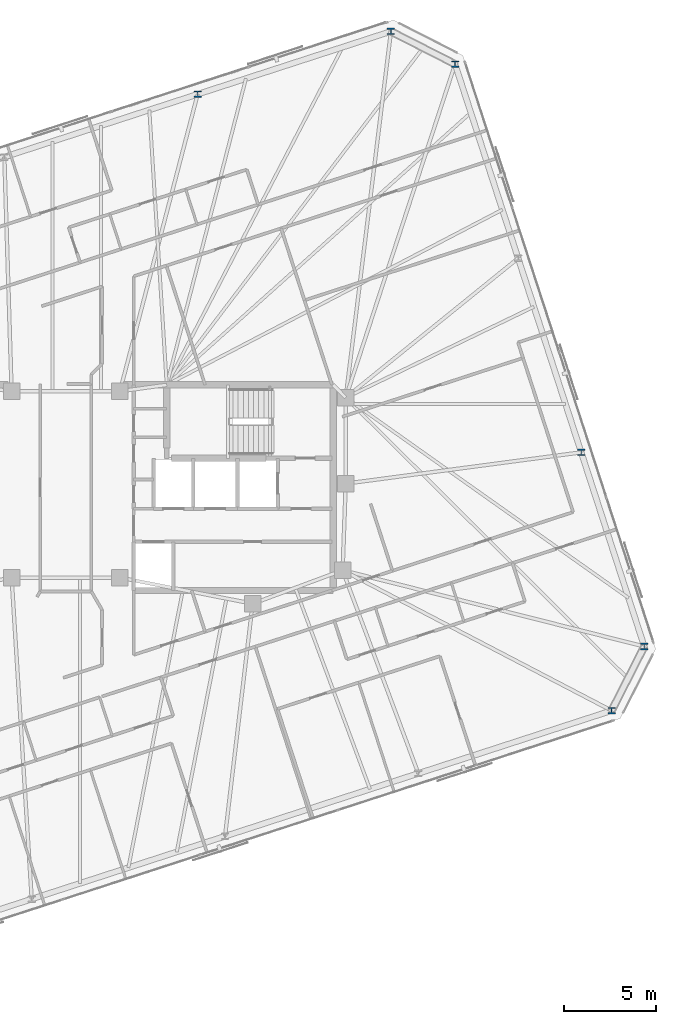
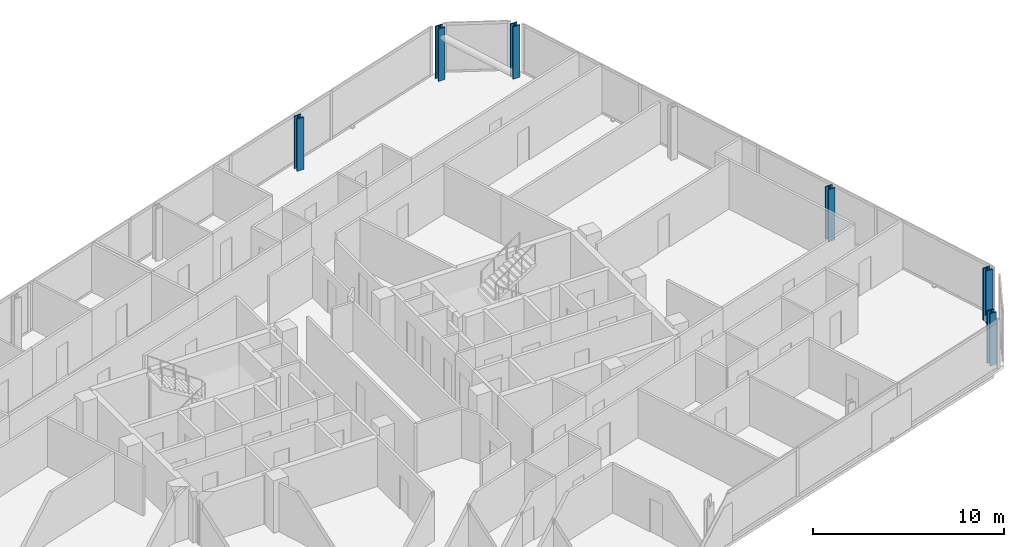
# One storey, part 4 of 20: 6 columns.
"""IFC4 building model written with IfcOpenShell, lengths in metres."""

from ifc_helpers import new_model, si_unit, direction, frame, origin, origin_2d, place, context, subcontext, project, spatial, i_section, extrude, material, material_profile, profile_set, type_object, element, save


model = new_model("IFC4")

# Units and contexts
model_context = context("Model", 3, precision=1e-05, world=origin(), true_north=direction((0.0, 1.0)))
body_context = subcontext(model_context, "Body", "Model", "MODEL_VIEW")
ifc_project = project(units=[si_unit("LENGTHUNIT", "METRE"), si_unit("AREAUNIT", "SQUARE_METRE"), si_unit("VOLUMEUNIT", "CUBIC_METRE"), si_unit("PLANEANGLEUNIT", "RADIAN"), si_unit("MASSUNIT", "GRAM", prefix="KILO")], contexts=[model_context])

# Site, building, storey
site_placement = place(None, origin())
site = spatial("IfcSite", under=ifc_project, at=site_placement, CompositionType="ELEMENT")
building_placement = place(site_placement, origin())
building = spatial("IfcBuilding", under=site, at=building_placement, Name="Menara Jurai Vektor", CompositionType="ELEMENT")
storey_placement = place(building_placement, frame((0.0, 0.0, 247.75)))
storey = spatial("IfcBuildingStorey", under=building, at=storey_placement, Name="L66", CompositionType="ELEMENT", Elevation=247.75)

# Columns
ifc_material = material(Name="Steel S460", Category="steel")
ifc_material_profile = material_profile(ifc_material, i_section(OverallWidth=0.405029296875, OverallDepth=0.35498046875, WebThickness=0.0419921875, FlangeThickness=0.068115234375, FilletRadius=0.014892578125, at=origin_2d()), Name="HD 400x551")
ifc_profile_set = profile_set([ifc_material_profile], Name="Steel S460")
column_type = type_object("IfcColumnType", Name="STR-EXO-BLK4", PredefinedType="COLUMN", material=ifc_profile_set)
for number, where, z_axis, x_axis, name in (
    (1, (29.733642578125, -12.14501953125, 0.0), (0.0, 0.0, 1.0), (1.0, 0.0, 0.0), "Exoskeleton Column BLK4-S6 L66"),
    (2, (31.513427734375, -8.652099609375, 0.0), (0.0, 0.0, 1.0), (1.0, 0.0, 0.0), "Exoskeleton Column BLK4-E1 L66"),
    (3, (28.07763671875, 1.92236328125, 0.0), (0.0, 0.0, 1.0), (1.0, 0.0, 0.0), "Exoskeleton Column BLK4-E2 L66"),
    (4, (21.2060546875, 23.071044921875, 0.0), (0.0, 0.0, 1.0), (1.0, 0.0, 0.0), "Exoskeleton Column BLK4-E4 L66"),
    (5, (17.712890625, 24.85107421875, 0.0), (0.0, 0.0, 1.0), (1.0, 0.0, 0.0), "Exoskeleton Column BLK4-N1 L66"),
    (6, (7.18359375, 21.4296875, 0.0), (0.0, 0.0, 1.0), (1.0, 0.0, 0.0), "Exoskeleton Column BLK4-N2 L66"),
):
    element("IfcColumn", number, at=place(storey_placement, frame(where, z_axis=z_axis, x_axis=x_axis)), inside=storey, type_object=column_type, Name=name, PredefinedType="COLUMN", context=body_context, shape_type="SweptSolid", body=[
        extrude(i_section(OverallWidth=0.405029296875, OverallDepth=0.35498046875, WebThickness=0.0419921875, FlangeThickness=0.068115234375, FilletRadius=0.014892578125, at=origin_2d()), origin(), (0.0, 0.0, 1.0), 3.35009765625),
    ])

save(model, "model.ifc")
